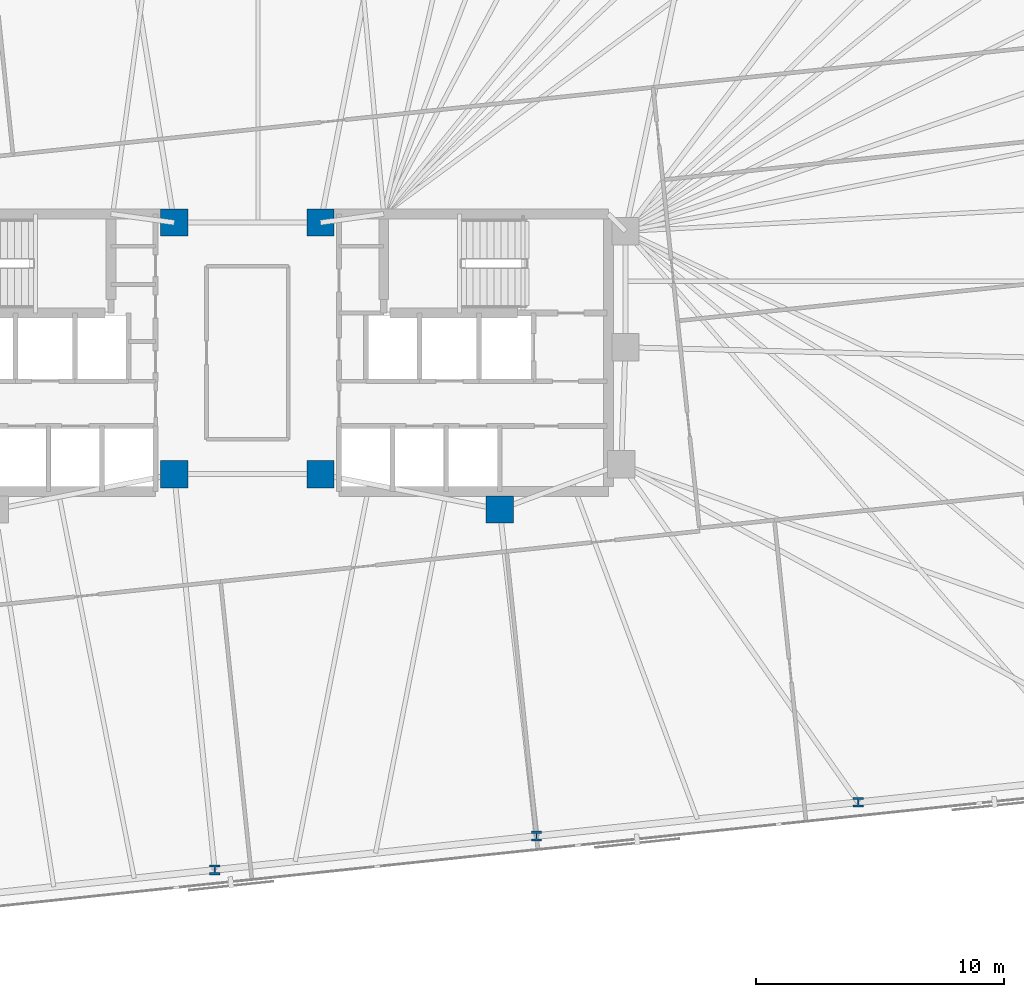
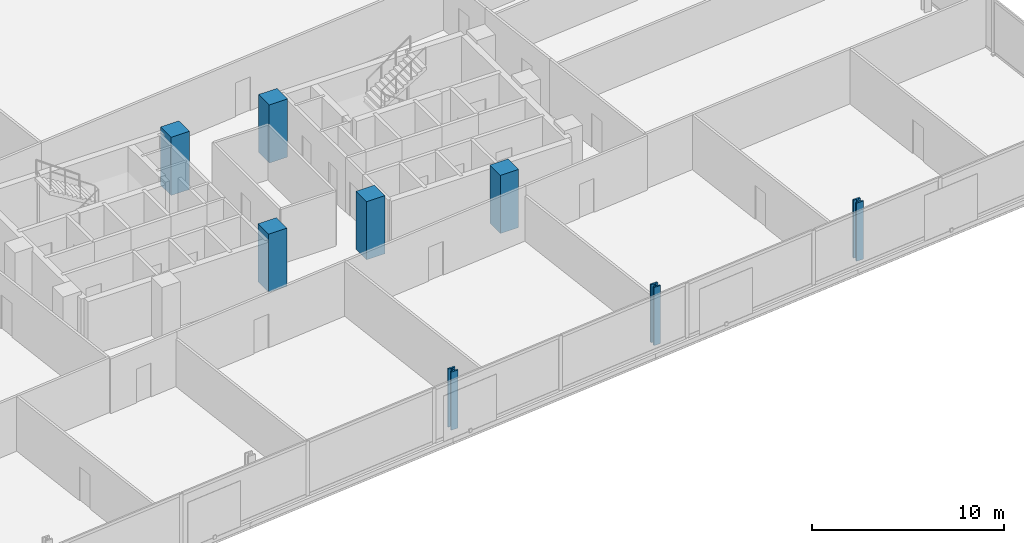
# One storey, part 3 of 18: 8 columns.
"""IFC4 building model written with IfcOpenShell, lengths in metres."""

from ifc_helpers import new_model, si_unit, direction, frame, origin, origin_2d, place, context, subcontext, project, spatial, rectangle, i_section, extrude, material, material_profile, profile_set, type_object, element, save


model = new_model("IFC4")

# Units and contexts
model_context = context("Model", 3, precision=1e-05, world=origin(), true_north=direction((0.0, 1.0)))
body_context = subcontext(model_context, "Body", "Model", "MODEL_VIEW")
ifc_project = project(units=[si_unit("LENGTHUNIT", "METRE"), si_unit("AREAUNIT", "SQUARE_METRE"), si_unit("VOLUMEUNIT", "CUBIC_METRE"), si_unit("PLANEANGLEUNIT", "RADIAN"), si_unit("MASSUNIT", "GRAM", prefix="KILO")], contexts=[model_context])

# Site, building, storey
site_placement = place(None, origin())
site = spatial("IfcSite", under=ifc_project, at=site_placement, CompositionType="ELEMENT")
building_placement = place(site_placement, origin())
building = spatial("IfcBuilding", under=site, at=building_placement, Name="Menara Jurai Vektor", CompositionType="ELEMENT")
storey_placement = place(building_placement, frame((0.0, 0.0, 102.199951171875)))
storey = spatial("IfcBuildingStorey", under=building, at=storey_placement, Name="L25", CompositionType="ELEMENT", Elevation=102.199951171875)

# Columns
ifc_material_1 = material(Name="Concrete C50/60", Category="concrete")
ifc_material_profile_1 = material_profile(ifc_material_1, rectangle(XDim=1.10009765625, YDim=1.10009765625, at=origin_2d()), Name="RC 1100x1100")
ifc_profile_set_1 = profile_set([ifc_material_profile_1], Name="Concrete C50/60")
column_type_1 = type_object("IfcColumnType", Name="STR-COL-RC1100", PredefinedType="COLUMN", material=ifc_profile_set_1)
for number, where, z_axis, x_axis, name in (
    (1, (-2.949951171875, -4.89990234375, 0.0), (0.0, 0.0, 1.0), (1.0, 0.0, 0.0), "Core Spine Column CW-SE L25"),
    (2, (-2.949951171875, 5.25, 0.0), (0.0, 0.0, 1.0), (1.0, 0.0, 0.0), "Core Spine Column CW-NE L25"),
    (3, (10.179931640625, -6.320068359375, 0.0), (0.0, 0.0, 1.0), (1.0, 0.0, 0.0), "Core Spine Column CE-SM L25"),
    (4, (2.949951171875, -4.89990234375, 0.0), (0.0, 0.0, 1.0), (1.0, 0.0, 0.0), "Core Spine Column CE-SW L25"),
    (5, (2.949951171875, 5.25, 0.0), (0.0, 0.0, 1.0), (1.0, 0.0, 0.0), "Core Spine Column CE-NW L25"),
):
    element("IfcColumn", number, at=place(storey_placement, frame(where, z_axis=z_axis, x_axis=x_axis)), inside=storey, type_object=column_type_1, Name=name, PredefinedType="COLUMN", context=body_context, shape_type="SweptSolid", body=[
        extrude(rectangle(XDim=1.10009765625, YDim=1.10009765625, at=origin_2d()), origin(), (0.0, 0.0, 1.0), 3.699951171875),
    ])
ifc_material_2 = material(Name="Steel S460", Category="steel")
ifc_material_profile_2 = material_profile(ifc_material_2, i_section(OverallWidth=0.4130859375, OverallDepth=0.39794921875, WebThickness=0.055908203125, FlangeThickness=0.089111328125, FilletRadius=0.014892578125, at=origin_2d()), Name="HD 400x744")
ifc_profile_set_2 = profile_set([ifc_material_profile_2], Name="Steel S460")
column_type_2 = type_object("IfcColumnType", Name="STR-EXO-BLK2", PredefinedType="COLUMN", material=ifc_profile_set_2)
for number, where, z_axis, x_axis, name in (
    (6, (-1.317138671875, -20.857666015625, 0.0), (0.0, 0.0, 1.0), (1.0, 0.0, 0.0), "Exoskeleton Column BLK2-S3 L25"),
    (7, (11.66259765625, -19.49365234375, 0.0), (0.0, 0.0, 1.0), (1.0, 0.0, 0.0), "Exoskeleton Column BLK2-S4 L25"),
    (8, (24.642333984375, -18.12939453125, 0.0), (0.0, 0.0, 1.0), (1.0, 0.0, 0.0), "Exoskeleton Column BLK2-S5 L25"),
):
    element("IfcColumn", number, at=place(storey_placement, frame(where, z_axis=z_axis, x_axis=x_axis)), inside=storey, type_object=column_type_2, Name=name, PredefinedType="COLUMN", context=body_context, shape_type="SweptSolid", body=[
        extrude(i_section(OverallWidth=0.4130859375, OverallDepth=0.39794921875, WebThickness=0.055908203125, FlangeThickness=0.089111328125, FilletRadius=0.014892578125, at=origin_2d()), origin(), (0.0, 0.0, 1.0), 3.699951171875),
    ])

save(model, "model.ifc")
